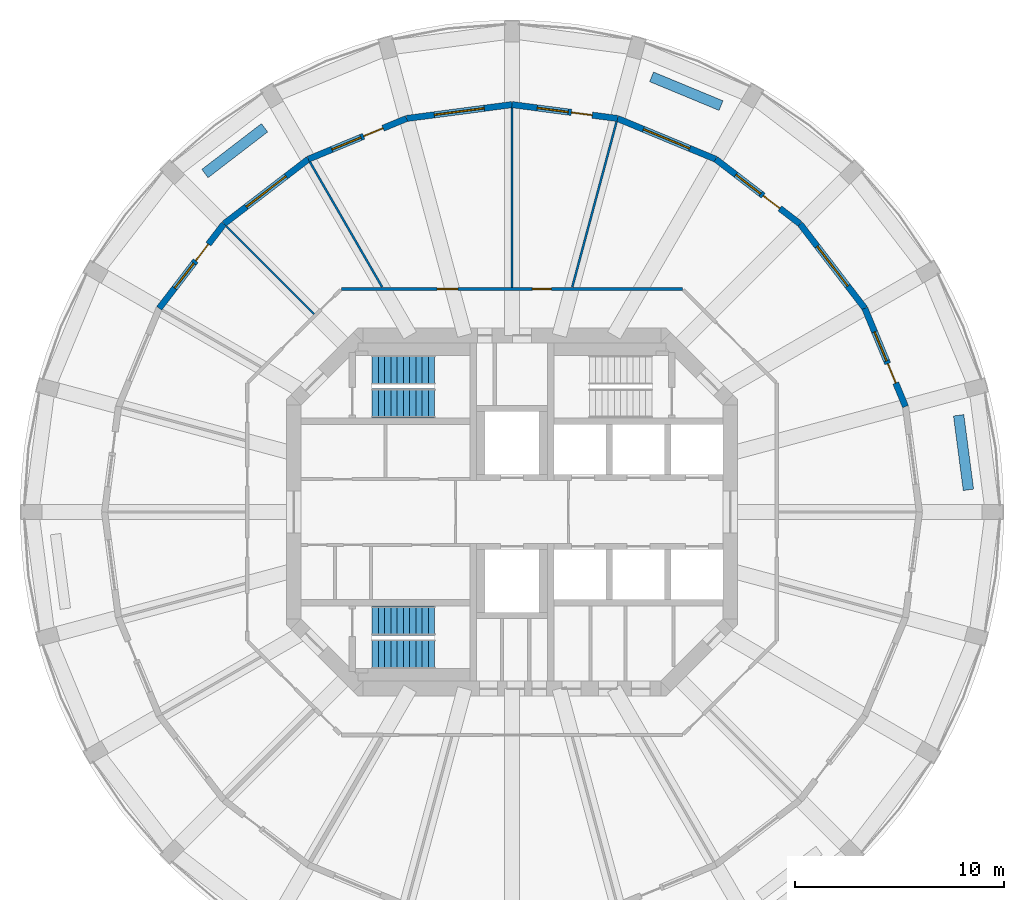
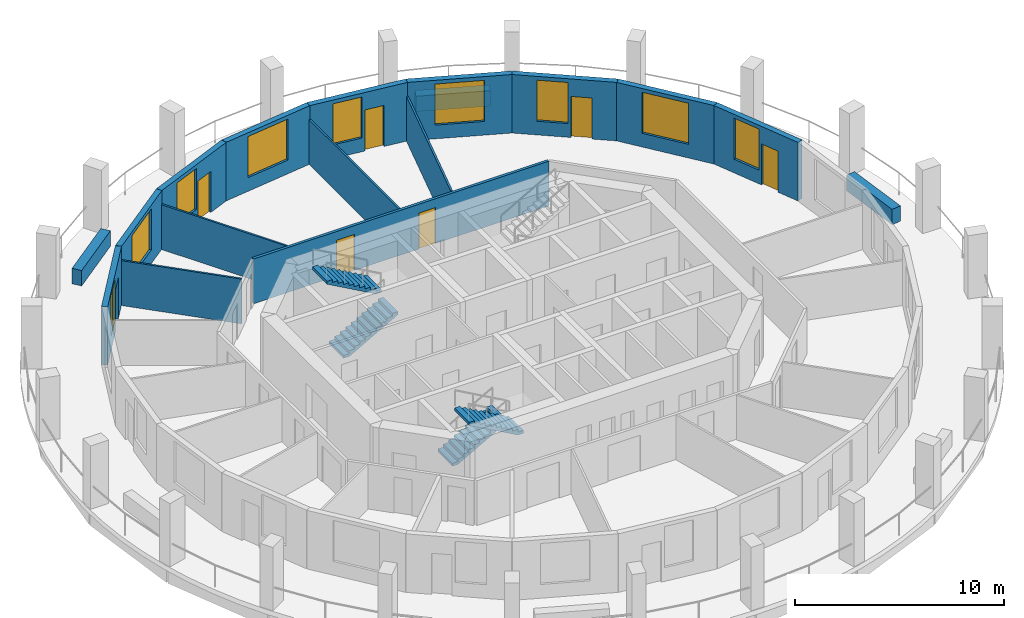
# One storey, part 6 of 9: 17 walls, 9 windows, 7 doors, 4 stair flights, 16 openings, 2 elements without a shape of their own.
"""IFC4 building model written with IfcOpenShell, lengths in metres."""

from ifc_helpers import new_model, si_unit, direction, frame, frame_2d, origin, place, context, subcontext, project, spatial, polyline, rectangle, outline, extrude, material, layer, layer_set, type_object, element, fill, aggregate, save


model = new_model("IFC4")

# Units and contexts
model_context = context("Model", 3, precision=1e-05, world=origin(), true_north=direction((0.0, 1.0)))
body_context = subcontext(model_context, "Body", "Model", "MODEL_VIEW")
ifc_project = project(units=[si_unit("LENGTHUNIT", "METRE"), si_unit("AREAUNIT", "SQUARE_METRE"), si_unit("VOLUMEUNIT", "CUBIC_METRE"), si_unit("PLANEANGLEUNIT", "RADIAN"), si_unit("MASSUNIT", "GRAM", prefix="KILO")], contexts=[model_context])

# Site, building, storey
site_placement = place(None, origin())
site = spatial("IfcSite", under=ifc_project, at=site_placement, CompositionType="ELEMENT")
building_placement = place(site_placement, origin())
building = spatial("IfcBuilding", under=site, at=building_placement, Name="Torre Triforio", CompositionType="ELEMENT")
storey_placement = place(building_placement, frame((0.0, 0.0, 211.300048828125)))
storey = spatial("IfcBuildingStorey", under=building, at=storey_placement, Name="L48", CompositionType="ELEMENT", Elevation=211.300048828125)

# Wall, openings, doors
ifc_material_1 = material(Name="Plasterboard on metal studs")
ifc_layer_1 = layer(ifc_material_1, 0.14990234375)
ifc_layer_set_1 = layer_set([ifc_layer_1], Name="Plasterboard on metal studs")
wall_type_1 = type_object("IfcWallType", Name="Corridor and tenancy wall 150 mm EI 60", PredefinedType="PARTITIONING", material=ifc_layer_set_1)
wall_1_placement = place(storey_placement, frame((-8.16650390625, 10.675048828125, 0.0), z_axis=(0.0, 0.0, 1.0), x_axis=(1.0, 0.0, 0.0)))
wall_1 = element("IfcWall", 1, at=wall_1_placement, inside=storey, type_object=wall_type_1, Name="Partition 8", PredefinedType="PARTITIONING", context=body_context, shape_type="SweptSolid", body=[
    extrude(rectangle(XDim=16.3330078125, YDim=0.14990234375, at=frame_2d((8.16650390625, 0.0))), origin(), (0.0, 0.0, 1.0), 2.619873046875),
])
opening_1_placement = place(wall_1_placement, frame((9.147705078125, 0.0, 0.0)))
opening_1 = element("IfcOpeningElement", 2, at=opening_1_placement, cuts=wall_1, Name="Opening O6-07", PredefinedType="OPENING", context=body_context, shape_type="SweptSolid", body=[
    extrude(rectangle(XDim=0.89990234375, YDim=2.10009765625, at=frame_2d((0.449951171875, 1.050048828125))), frame((0.0, 0.0849609375, 0.0), z_axis=(0.0, -1.0, 0.0), x_axis=(1.0, 0.0, 0.0)), (0.0, 0.0, 1.0), 0.169921875),
])
opening_2_placement = place(wall_1_placement, frame((4.5810546875, 0.0, 0.0)))
opening_2 = element("IfcOpeningElement", 3, at=opening_2_placement, cuts=wall_1, Name="Opening O6-08", PredefinedType="OPENING", context=body_context, shape_type="SweptSolid", body=[
    extrude(rectangle(XDim=1.0, YDim=2.10009765625, at=frame_2d((0.5, 1.050048828125))), frame((0.0, 0.0849609375, 0.0), z_axis=(0.0, -1.0, 0.0), x_axis=(1.0, 0.0, 0.0)), (0.0, 0.0, 1.0), 0.169921875),
])
ifc_material_2 = material(Name="Timber", Category="wood")
door_type_1 = type_object("IfcDoorType", Name="Door 1000 x 2100 single leaf EI 30", OperationType="NOTDEFINED", PredefinedType="DOOR", material=ifc_material_2)
door_1_placement = place(opening_2_placement, origin())
door_1 = element("IfcDoor", 4, at=door_1_placement, inside=storey, type_object=door_type_1, Name="Door O6-08", OperationType="SINGLE_SWING_RIGHT", OverallHeight=2.10009765625, OverallWidth=1.0, PredefinedType="DOOR", context=body_context, shape_type="SweptSolid", body=[
    extrude(rectangle(XDim=1.0, YDim=2.10009765625, at=frame_2d((0.5, 1.050048828125))), frame((0.0, 0.02490234375, 0.0), z_axis=(0.0, -1.0, 0.0), x_axis=(1.0, 0.0, 0.0)), (0.0, 0.0, 1.0), 0.050048828125),
])
fill(opening_2, door_1)
door_type_2 = type_object("IfcDoorType", Name="Door 900 x 2100 single leaf EI 30", OperationType="NOTDEFINED", PredefinedType="DOOR", material=ifc_material_2)
door_2_placement = place(opening_1_placement, origin())
door_2 = element("IfcDoor", 5, at=door_2_placement, inside=storey, type_object=door_type_2, Name="Door O6-07", OperationType="SINGLE_SWING_LEFT", OverallHeight=2.10009765625, OverallWidth=0.89990234375, PredefinedType="DOOR", context=body_context, shape_type="SweptSolid", body=[
    extrude(rectangle(XDim=0.89990234375, YDim=2.10009765625, at=frame_2d((0.449951171875, 1.050048828125))), frame((0.0, 0.02490234375, 0.0), z_axis=(0.0, -1.0, 0.0), x_axis=(1.0, 0.0, 0.0)), (0.0, 0.0, 1.0), 0.050048828125),
])
fill(opening_1, door_2)

# Walls
ifc_layer_2 = layer(ifc_material_1, 0.10009765625)
ifc_layer_set_2 = layer_set([ifc_layer_2], Name="Plasterboard on metal studs")
wall_type_2 = type_object("IfcWallType", Name="Partition 100 mm board on metal studs", PredefinedType="PARTITIONING", material=ifc_layer_set_2)
wall_2_placement = place(storey_placement, frame((2.88427734375, 10.764404296875, 0.0), z_axis=(0.0, 0.0, 1.0), x_axis=(0.258818011497, 0.965926103242, 0.0)))
element("IfcWall", 6, at=wall_2_placement, inside=storey, type_object=wall_type_2, Name="Partition 12", PredefinedType="PARTITIONING", context=body_context, shape_type="SweptSolid", body=[
    extrude(rectangle(XDim=8.1923828125, YDim=0.10009765625, at=frame_2d((4.09619140625, 0.0))), origin(), (0.0, 0.0, 1.0), 2.619873046875),
])
wall_3_placement = place(storey_placement, frame((0.0, 10.75, 0.0), z_axis=(0.0, 0.0, 1.0), x_axis=(0.0, 1.0, 0.0)))
element("IfcWall", 7, at=wall_3_placement, inside=storey, type_object=wall_type_2, Name="Partition 13", PredefinedType="PARTITIONING", context=body_context, shape_type="SweptSolid", body=[
    extrude(rectangle(XDim=8.586669921875, YDim=0.10009765625, at=frame_2d((4.29345703125, 0.0))), origin(), (0.0, 0.0, 1.0), 2.619873046875),
])
wall_4_placement = place(storey_placement, frame((-6.220703125, 10.774658203125, 0.0), z_axis=(0.0, 0.0, 1.0), x_axis=(-0.500015661236, 0.866016361577, 0.0)))
element("IfcWall", 8, at=wall_4_placement, inside=storey, type_object=wall_type_2, Name="Partition 14", PredefinedType="PARTITIONING", context=body_context, shape_type="SweptSolid", body=[
    extrude(rectangle(XDim=6.895263671875, YDim=0.10009765625, at=frame_2d((3.44775390625, 0.0))), origin(), (0.0, 0.0, 1.0), 2.619873046875),
])
wall_5_placement = place(storey_placement, frame((-9.473876953125, 9.473876953125, 0.0), z_axis=(0.0, 0.0, 1.0), x_axis=(-0.707106781187, 0.707106781187, 0.0)))
element("IfcWall", 9, at=wall_5_placement, inside=storey, type_object=wall_type_2, Name="Partition 15", PredefinedType="PARTITIONING", context=body_context, shape_type="SweptSolid", body=[
    extrude(rectangle(XDim=5.9384765625, YDim=0.10009765625, at=frame_2d((2.96923828125, 0.0))), origin(), (0.0, 0.0, 1.0), 2.619873046875),
])
ifc_material_3 = material(Name="Limestone cladding", Category="masonry")
ifc_layer_3 = layer(ifc_material_3, 0.10009765625)
ifc_material_4 = material(Name="Concrete C40", Category="concrete")
ifc_layer_4 = layer(ifc_material_4, 0.39990234375)
ifc_layer_set_3 = layer_set([ifc_layer_3, ifc_layer_4], Name="Limestone cladding / Concrete C40")
wall_type_3 = type_object("IfcWallType", Name="Planter wall 500", PredefinedType="PARAPET", material=ifc_layer_set_3)
for number, where, z_axis, x_axis, name in (
    (10, (21.848388671875, 1.060791015625, 0.0), (0.0, 0.0, 1.0), (-0.130475563272, 0.991451525486, 0.0), "Planter L48 bay 01"),
    (11, (10.005615234375, 19.45166015625, 0.0), (0.0, 0.0, 1.0), (-0.923885420167, 0.382669217998, 0.0), "Planter L48 bay 05"),
):
    element("IfcWall", number, at=place(storey_placement, frame(where, z_axis=z_axis, x_axis=x_axis)), inside=storey, type_object=wall_type_3, Name=name, PredefinedType="PARAPET", context=body_context, shape_type="SweptSolid", body=[
        extrude(rectangle(XDim=3.60009765625, YDim=0.5, at=frame_2d((1.800048828125, 0.0))), origin(), (0.0, 0.0, 1.0), 0.89990234375),
    ])
wall_6_placement = place(storey_placement, frame((-11.843017578125, 18.390869140625, 0.0), z_axis=(0.0, 0.0, 1.0), x_axis=(-0.793326845617, -0.608795955984, 0.0)))
element("IfcWall", 12, at=wall_6_placement, inside=storey, type_object=wall_type_3, Name="Planter L48 bay 09", PredefinedType="PARAPET", context=body_context, shape_type="SweptSolid", body=[
    extrude(rectangle(XDim=3.599853515625, YDim=0.5, at=frame_2d((1.7998046875, 0.0))), origin(), (0.0, 0.0, 1.0), 0.89990234375),
])

# Wall, openings, door, window
ifc_layer_5 = layer(ifc_material_3, 0.10009765625)
ifc_layer_6 = layer(ifc_material_4, 0.199951171875)
ifc_layer_set_4 = layer_set([ifc_layer_5, ifc_layer_6], Name="Limestone cladding / Concrete C40")
wall_type_4 = type_object("IfcWallType", Name="Stone-faced composite wall 300", PredefinedType="STANDARD", material=ifc_layer_set_4)
wall_7_placement = place(storey_placement, frame((18.835693359375, 5.047119140625, 0.0), z_axis=(0.0, 0.0, 1.0), x_axis=(-0.382724538613, 0.923862504675, 0.0)))
wall_7 = element("IfcWall", 13, at=wall_7_placement, inside=storey, type_object=wall_type_4, Name="External wall L48 bay 02", PredefinedType="STANDARD", context=body_context, shape_type="SweptSolid", body=[
    extrude(rectangle(XDim=5.090576171875, YDim=0.300048828125, at=frame_2d((2.54541015625, 0.0))), origin(), (0.0, 0.0, 1.0), 3.419921875),
])
opening_3_placement = place(wall_7_placement, frame((1.22021484375, 0.0, 0.0)))
opening_3 = element("IfcOpeningElement", 14, at=opening_3_placement, cuts=wall_7, Name="Opening O6-D02", PredefinedType="OPENING", context=body_context, shape_type="SweptSolid", body=[
    extrude(rectangle(XDim=1.0, YDim=2.39990234375, at=frame_2d((0.5, 1.199951171875))), frame((0.0, 0.159912109375, 0.0), z_axis=(0.0, -1.0, 0.0), x_axis=(1.0, 0.0, 0.0)), (0.0, 0.0, 1.0), 0.320068359375),
])
opening_4_placement = place(wall_7_placement, frame((2.370361328125, 0.0, 0.800048828125)))
opening_4 = element("IfcOpeningElement", 15, at=opening_4_placement, cuts=wall_7, Name="Opening O6-W02A", PredefinedType="OPENING", context=body_context, shape_type="SweptSolid", body=[
    extrude(rectangle(XDim=1.5, YDim=2.39990234375, at=frame_2d((0.75, 1.199951171875))), frame((0.0, 0.159912109375, 0.0), z_axis=(0.0, -1.0, 0.0), x_axis=(1.0, 0.0, 0.0)), (0.0, 0.0, 1.0), 0.320068359375),
])
ifc_material_5 = material(Name="Aluminium frame with clear double glazing", Category="aluminium")
door_type_3 = type_object("IfcDoorType", Name="Loggia door 1000 x 2400", OperationType="NOTDEFINED", PredefinedType="DOOR", material=ifc_material_5)
door_3_placement = place(opening_3_placement, origin())
door_3 = element("IfcDoor", 16, at=door_3_placement, inside=storey, type_object=door_type_3, Name="Loggia door L48 bay 02", OperationType="SINGLE_SWING_LEFT", OverallHeight=2.39990234375, OverallWidth=1.0, PredefinedType="DOOR", context=body_context, shape_type="SweptSolid", body=[
    extrude(rectangle(XDim=1.0, YDim=2.39990234375, at=frame_2d((0.5, 1.199951171875))), frame((0.0, 0.02490234375, 0.0), z_axis=(0.0, -1.0, 0.0), x_axis=(1.0, 0.0, 0.0)), (0.0, 0.0, 1.0), 0.050048828125),
])
fill(opening_3, door_3)
window_type_1 = type_object("IfcWindowType", Name="Side window 1500 x 2400", PartitioningType="SINGLE_PANEL", PredefinedType="WINDOW", material=ifc_material_5)
window_1_placement = place(opening_4_placement, origin())
window_1 = element("IfcWindow", 17, at=window_1_placement, inside=storey, type_object=window_type_1, Name="Side window EWN14 L48 bay 02", OverallHeight=2.39990234375, OverallWidth=1.5, PartitioningType="SINGLE_PANEL", PredefinedType="WINDOW", context=body_context, shape_type="SweptSolid", body=[
    extrude(rectangle(XDim=1.5, YDim=2.39990234375, at=frame_2d((0.75, 1.199951171875))), frame((0.0, 0.030029296875, 0.0), z_axis=(0.0, -1.0, 0.0), x_axis=(1.0, 0.0, 0.0)), (0.0, 0.0, 1.0), 0.06005859375),
])
fill(opening_4, window_1)

# Wall, opening, window
wall_8_placement = place(storey_placement, frame((16.887451171875, 9.75, 0.0), z_axis=(0.0, 0.0, 1.0), x_axis=(-0.608757714995, 0.79335619014, 0.0)))
wall_8 = element("IfcWall", 18, at=wall_8_placement, inside=storey, type_object=wall_type_4, Name="External wall L48 bay 03", PredefinedType="STANDARD", context=body_context, shape_type="SweptSolid", body=[
    extrude(rectangle(XDim=5.090576171875, YDim=0.300048828125, at=frame_2d((2.54541015625, 0.0))), origin(), (0.0, 0.0, 1.0), 3.419921875),
])
opening_5_placement = place(wall_8_placement, frame((1.34521484375, 0.0, 0.800048828125)))
opening_5 = element("IfcOpeningElement", 19, at=opening_5_placement, cuts=wall_8, Name="Opening O6-W03", PredefinedType="OPENING", context=body_context, shape_type="SweptSolid", body=[
    extrude(rectangle(XDim=2.39990234375, YDim=2.39990234375, at=frame_2d((1.199951171875, 1.199951171875))), frame((0.0, 0.159912109375, 0.0), z_axis=(0.0, -1.0, 0.0), x_axis=(1.0, 0.0, 0.0)), (0.0, 0.0, 1.0), 0.320068359375),
])
window_type_2 = type_object("IfcWindowType", Name="Punched window 2400 x 2400", PartitioningType="DOUBLE_PANEL_VERTICAL", PredefinedType="WINDOW", material=ifc_material_5)
window_2_placement = place(opening_5_placement, origin())
window_2 = element("IfcWindow", 20, at=window_2_placement, inside=storey, type_object=window_type_2, Name="Window EWN4 L48 bay 03", OverallHeight=2.39990234375, OverallWidth=2.39990234375, PartitioningType="SINGLE_PANEL", PredefinedType="WINDOW", context=body_context, shape_type="SweptSolid", body=[
    extrude(rectangle(XDim=2.39990234375, YDim=2.39990234375, at=frame_2d((1.199951171875, 1.199951171875))), frame((0.0, 0.030029296875, 0.0), z_axis=(0.0, -1.0, 0.0), x_axis=(1.0, 0.0, 0.0)), (0.0, 0.0, 1.0), 0.06005859375),
])
fill(opening_5, window_2)

# Wall, openings, door, window
wall_9_placement = place(storey_placement, frame((13.78857421875, 13.78857421875, 0.0), z_axis=(0.0, 0.0, 1.0), x_axis=(-0.79335619014, 0.608757714995, 0.0)))
wall_9 = element("IfcWall", 21, at=wall_9_placement, inside=storey, type_object=wall_type_4, Name="External wall L48 bay 04", PredefinedType="STANDARD", context=body_context, shape_type="SweptSolid", body=[
    extrude(rectangle(XDim=5.090576171875, YDim=0.300048828125, at=frame_2d((2.54541015625, 0.0))), origin(), (0.0, 0.0, 1.0), 3.419921875),
])
opening_6_placement = place(wall_9_placement, frame((1.22021484375, 0.0, 0.0)))
opening_6 = element("IfcOpeningElement", 22, at=opening_6_placement, cuts=wall_9, Name="Opening O6-D04", PredefinedType="OPENING", context=body_context, shape_type="SweptSolid", body=[
    extrude(rectangle(XDim=1.0, YDim=2.39990234375, at=frame_2d((0.5, 1.199951171875))), frame((0.0, 0.159912109375, 0.0), z_axis=(0.0, -1.0, 0.0), x_axis=(1.0, 0.0, 0.0)), (0.0, 0.0, 1.0), 0.320068359375),
])
opening_7_placement = place(wall_9_placement, frame((2.370361328125, 0.0, 0.800048828125)))
opening_7 = element("IfcOpeningElement", 23, at=opening_7_placement, cuts=wall_9, Name="Opening O6-W04A", PredefinedType="OPENING", context=body_context, shape_type="SweptSolid", body=[
    extrude(rectangle(XDim=1.5, YDim=2.39990234375, at=frame_2d((0.75, 1.199951171875))), frame((0.0, 0.159912109375, 0.0), z_axis=(0.0, -1.0, 0.0), x_axis=(1.0, 0.0, 0.0)), (0.0, 0.0, 1.0), 0.320068359375),
])
door_4_placement = place(opening_6_placement, origin())
door_4 = element("IfcDoor", 24, at=door_4_placement, inside=storey, type_object=door_type_3, Name="Loggia door L48 bay 04", OperationType="SINGLE_SWING_LEFT", OverallHeight=2.39990234375, OverallWidth=1.0, PredefinedType="DOOR", context=body_context, shape_type="SweptSolid", body=[
    extrude(rectangle(XDim=1.0, YDim=2.39990234375, at=frame_2d((0.5, 1.199951171875))), frame((0.0, 0.02490234375, 0.0), z_axis=(0.0, -1.0, 0.0), x_axis=(1.0, 0.0, 0.0)), (0.0, 0.0, 1.0), 0.050048828125),
])
fill(opening_6, door_4)
window_3_placement = place(opening_7_placement, origin())
window_3 = element("IfcWindow", 25, at=window_3_placement, inside=storey, type_object=window_type_1, Name="Side window EWN14 L48 bay 04", OverallHeight=2.39990234375, OverallWidth=1.5, PartitioningType="SINGLE_PANEL", PredefinedType="WINDOW", context=body_context, shape_type="SweptSolid", body=[
    extrude(rectangle(XDim=1.5, YDim=2.39990234375, at=frame_2d((0.75, 1.199951171875))), frame((0.0, 0.030029296875, 0.0), z_axis=(0.0, -1.0, 0.0), x_axis=(1.0, 0.0, 0.0)), (0.0, 0.0, 1.0), 0.06005859375),
])
fill(opening_7, window_3)

# Wall, opening, window
wall_10_placement = place(storey_placement, frame((9.75, 16.887451171875, 0.0), z_axis=(0.0, 0.0, 1.0), x_axis=(-0.923862504675, 0.382724538613, 0.0)))
wall_10 = element("IfcWall", 26, at=wall_10_placement, inside=storey, type_object=wall_type_4, Name="External wall L48 bay 05", PredefinedType="STANDARD", context=body_context, shape_type="SweptSolid", body=[
    extrude(rectangle(XDim=5.090576171875, YDim=0.300048828125, at=frame_2d((2.54541015625, 0.0))), origin(), (0.0, 0.0, 1.0), 3.419921875),
])
opening_8_placement = place(wall_10_placement, frame((1.34521484375, 0.0, 0.800048828125)))
opening_8 = element("IfcOpeningElement", 27, at=opening_8_placement, cuts=wall_10, Name="Opening O6-W05", PredefinedType="OPENING", context=body_context, shape_type="SweptSolid", body=[
    extrude(rectangle(XDim=2.39990234375, YDim=2.39990234375, at=frame_2d((1.199951171875, 1.199951171875))), frame((0.0, 0.159912109375, 0.0), z_axis=(0.0, -1.0, 0.0), x_axis=(1.0, 0.0, 0.0)), (0.0, 0.0, 1.0), 0.320068359375),
])
window_4_placement = place(opening_8_placement, origin())
window_4 = element("IfcWindow", 28, at=window_4_placement, inside=storey, type_object=window_type_2, Name="Window EWN4 L48 bay 05", OverallHeight=2.39990234375, OverallWidth=2.39990234375, PartitioningType="SINGLE_PANEL", PredefinedType="WINDOW", context=body_context, shape_type="SweptSolid", body=[
    extrude(rectangle(XDim=2.39990234375, YDim=2.39990234375, at=frame_2d((1.199951171875, 1.199951171875))), frame((0.0, 0.030029296875, 0.0), z_axis=(0.0, -1.0, 0.0), x_axis=(1.0, 0.0, 0.0)), (0.0, 0.0, 1.0), 0.06005859375),
])
fill(opening_8, window_4)

# Wall, openings, door, window
wall_11_placement = place(storey_placement, frame((5.047119140625, 18.835693359375, 0.0), z_axis=(0.0, 0.0, 1.0), x_axis=(-0.99144890792, 0.130495451964, 0.0)))
wall_11 = element("IfcWall", 29, at=wall_11_placement, inside=storey, type_object=wall_type_4, Name="External wall L48 bay 06", PredefinedType="STANDARD", context=body_context, shape_type="SweptSolid", body=[
    extrude(rectangle(XDim=5.090576171875, YDim=0.300048828125, at=frame_2d((2.54541015625, 0.0))), origin(), (0.0, 0.0, 1.0), 3.419921875),
])
opening_9_placement = place(wall_11_placement, frame((1.22021484375, 0.0, 0.0)))
opening_9 = element("IfcOpeningElement", 30, at=opening_9_placement, cuts=wall_11, Name="Opening O6-D06", PredefinedType="OPENING", context=body_context, shape_type="SweptSolid", body=[
    extrude(rectangle(XDim=1.0, YDim=2.39990234375, at=frame_2d((0.5, 1.199951171875))), frame((0.0, 0.159912109375, 0.0), z_axis=(0.0, -1.0, 0.0), x_axis=(1.0, 0.0, 0.0)), (0.0, 0.0, 1.0), 0.320068359375),
])
opening_10_placement = place(wall_11_placement, frame((2.370361328125, 0.0, 0.800048828125)))
opening_10 = element("IfcOpeningElement", 31, at=opening_10_placement, cuts=wall_11, Name="Opening O6-W06A", PredefinedType="OPENING", context=body_context, shape_type="SweptSolid", body=[
    extrude(rectangle(XDim=1.5, YDim=2.39990234375, at=frame_2d((0.75, 1.199951171875))), frame((0.0, 0.159912109375, 0.0), z_axis=(0.0, -1.0, 0.0), x_axis=(1.0, 0.0, 0.0)), (0.0, 0.0, 1.0), 0.320068359375),
])
door_5_placement = place(opening_9_placement, origin())
door_5 = element("IfcDoor", 32, at=door_5_placement, inside=storey, type_object=door_type_3, Name="Loggia door L48 bay 06", OperationType="SINGLE_SWING_LEFT", OverallHeight=2.39990234375, OverallWidth=1.0, PredefinedType="DOOR", context=body_context, shape_type="SweptSolid", body=[
    extrude(rectangle(XDim=1.0, YDim=2.39990234375, at=frame_2d((0.5, 1.199951171875))), frame((0.0, 0.02490234375, 0.0), z_axis=(0.0, -1.0, 0.0), x_axis=(1.0, 0.0, 0.0)), (0.0, 0.0, 1.0), 0.050048828125),
])
fill(opening_9, door_5)
window_5_placement = place(opening_10_placement, origin())
window_5 = element("IfcWindow", 33, at=window_5_placement, inside=storey, type_object=window_type_1, Name="Side window EWN14 L48 bay 06", OverallHeight=2.39990234375, OverallWidth=1.5, PartitioningType="SINGLE_PANEL", PredefinedType="WINDOW", context=body_context, shape_type="SweptSolid", body=[
    extrude(rectangle(XDim=1.5, YDim=2.39990234375, at=frame_2d((0.75, 1.199951171875))), frame((0.0, 0.030029296875, 0.0), z_axis=(0.0, -1.0, 0.0), x_axis=(1.0, 0.0, 0.0)), (0.0, 0.0, 1.0), 0.06005859375),
])
fill(opening_10, window_5)

# Wall, opening, window
wall_12_placement = place(storey_placement, frame((0.0, 19.5, 0.0), z_axis=(0.0, 0.0, 1.0), x_axis=(-0.99144890792, -0.130495451964, 0.0)))
wall_12 = element("IfcWall", 34, at=wall_12_placement, inside=storey, type_object=wall_type_4, Name="External wall L48 bay 07", PredefinedType="STANDARD", context=body_context, shape_type="SweptSolid", body=[
    extrude(rectangle(XDim=5.090576171875, YDim=0.300048828125, at=frame_2d((2.54541015625, 0.0))), origin(), (0.0, 0.0, 1.0), 3.419921875),
])
opening_11_placement = place(wall_12_placement, frame((1.34521484375, 0.0, 0.800048828125)))
opening_11 = element("IfcOpeningElement", 35, at=opening_11_placement, cuts=wall_12, Name="Opening O6-W07", PredefinedType="OPENING", context=body_context, shape_type="SweptSolid", body=[
    extrude(rectangle(XDim=2.39990234375, YDim=2.39990234375, at=frame_2d((1.199951171875, 1.199951171875))), frame((0.0, 0.159912109375, 0.0), z_axis=(0.0, -1.0, 0.0), x_axis=(1.0, 0.0, 0.0)), (0.0, 0.0, 1.0), 0.320068359375),
])
window_6_placement = place(opening_11_placement, origin())
window_6 = element("IfcWindow", 36, at=window_6_placement, inside=storey, type_object=window_type_2, Name="Window EWN4 L48 bay 07", OverallHeight=2.39990234375, OverallWidth=2.39990234375, PartitioningType="SINGLE_PANEL", PredefinedType="WINDOW", context=body_context, shape_type="SweptSolid", body=[
    extrude(rectangle(XDim=2.39990234375, YDim=2.39990234375, at=frame_2d((1.199951171875, 1.199951171875))), frame((0.0, 0.030029296875, 0.0), z_axis=(0.0, -1.0, 0.0), x_axis=(1.0, 0.0, 0.0)), (0.0, 0.0, 1.0), 0.06005859375),
])
fill(opening_11, window_6)

# Wall, openings, door, window
wall_13_placement = place(storey_placement, frame((-5.047119140625, 18.835693359375, 0.0), z_axis=(0.0, 0.0, 1.0), x_axis=(-0.923862504675, -0.382724538613, 0.0)))
wall_13 = element("IfcWall", 37, at=wall_13_placement, inside=storey, type_object=wall_type_4, Name="External wall L48 bay 08", PredefinedType="STANDARD", context=body_context, shape_type="SweptSolid", body=[
    extrude(rectangle(XDim=5.090576171875, YDim=0.300048828125, at=frame_2d((2.54541015625, 0.0))), origin(), (0.0, 0.0, 1.0), 3.419921875),
])
opening_12_placement = place(wall_13_placement, frame((1.22021484375, 0.0, 0.0)))
opening_12 = element("IfcOpeningElement", 38, at=opening_12_placement, cuts=wall_13, Name="Opening O6-D08", PredefinedType="OPENING", context=body_context, shape_type="SweptSolid", body=[
    extrude(rectangle(XDim=1.0, YDim=2.39990234375, at=frame_2d((0.5, 1.199951171875))), frame((0.0, 0.159912109375, 0.0), z_axis=(0.0, -1.0, 0.0), x_axis=(1.0, 0.0, 0.0)), (0.0, 0.0, 1.0), 0.320068359375),
])
opening_13_placement = place(wall_13_placement, frame((2.370361328125, 0.0, 0.800048828125)))
opening_13 = element("IfcOpeningElement", 39, at=opening_13_placement, cuts=wall_13, Name="Opening O6-W08A", PredefinedType="OPENING", context=body_context, shape_type="SweptSolid", body=[
    extrude(rectangle(XDim=1.5, YDim=2.39990234375, at=frame_2d((0.75, 1.199951171875))), frame((0.0, 0.159912109375, 0.0), z_axis=(0.0, -1.0, 0.0), x_axis=(1.0, 0.0, 0.0)), (0.0, 0.0, 1.0), 0.320068359375),
])
door_6_placement = place(opening_12_placement, origin())
door_6 = element("IfcDoor", 40, at=door_6_placement, inside=storey, type_object=door_type_3, Name="Loggia door L48 bay 08", OperationType="SINGLE_SWING_LEFT", OverallHeight=2.39990234375, OverallWidth=1.0, PredefinedType="DOOR", context=body_context, shape_type="SweptSolid", body=[
    extrude(rectangle(XDim=1.0, YDim=2.39990234375, at=frame_2d((0.5, 1.199951171875))), frame((0.0, 0.02490234375, 0.0), z_axis=(0.0, -1.0, 0.0), x_axis=(1.0, 0.0, 0.0)), (0.0, 0.0, 1.0), 0.050048828125),
])
fill(opening_12, door_6)
window_7_placement = place(opening_13_placement, origin())
window_7 = element("IfcWindow", 41, at=window_7_placement, inside=storey, type_object=window_type_1, Name="Side window EWN14 L48 bay 08", OverallHeight=2.39990234375, OverallWidth=1.5, PartitioningType="SINGLE_PANEL", PredefinedType="WINDOW", context=body_context, shape_type="SweptSolid", body=[
    extrude(rectangle(XDim=1.5, YDim=2.39990234375, at=frame_2d((0.75, 1.199951171875))), frame((0.0, 0.030029296875, 0.0), z_axis=(0.0, -1.0, 0.0), x_axis=(1.0, 0.0, 0.0)), (0.0, 0.0, 1.0), 0.06005859375),
])
fill(opening_13, window_7)

# Wall, opening, window
wall_14_placement = place(storey_placement, frame((-9.75, 16.887451171875, 0.0), z_axis=(0.0, 0.0, 1.0), x_axis=(-0.79335619014, -0.608757714995, 0.0)))
wall_14 = element("IfcWall", 42, at=wall_14_placement, inside=storey, type_object=wall_type_4, Name="External wall L48 bay 09", PredefinedType="STANDARD", context=body_context, shape_type="SweptSolid", body=[
    extrude(rectangle(XDim=5.090576171875, YDim=0.300048828125, at=frame_2d((2.54541015625, 0.0))), origin(), (0.0, 0.0, 1.0), 3.419921875),
])
opening_14_placement = place(wall_14_placement, frame((1.34521484375, 0.0, 0.800048828125)))
opening_14 = element("IfcOpeningElement", 43, at=opening_14_placement, cuts=wall_14, Name="Opening O6-W09", PredefinedType="OPENING", context=body_context, shape_type="SweptSolid", body=[
    extrude(rectangle(XDim=2.39990234375, YDim=2.39990234375, at=frame_2d((1.199951171875, 1.199951171875))), frame((0.0, 0.159912109375, 0.0), z_axis=(0.0, -1.0, 0.0), x_axis=(1.0, 0.0, 0.0)), (0.0, 0.0, 1.0), 0.320068359375),
])
window_8_placement = place(opening_14_placement, origin())
window_8 = element("IfcWindow", 44, at=window_8_placement, inside=storey, type_object=window_type_2, Name="Window EWN4 L48 bay 09", OverallHeight=2.39990234375, OverallWidth=2.39990234375, PartitioningType="SINGLE_PANEL", PredefinedType="WINDOW", context=body_context, shape_type="SweptSolid", body=[
    extrude(rectangle(XDim=2.39990234375, YDim=2.39990234375, at=frame_2d((1.199951171875, 1.199951171875))), frame((0.0, 0.030029296875, 0.0), z_axis=(0.0, -1.0, 0.0), x_axis=(1.0, 0.0, 0.0)), (0.0, 0.0, 1.0), 0.06005859375),
])
fill(opening_14, window_8)

# Wall, openings, door, window
wall_15_placement = place(storey_placement, frame((-13.78857421875, 13.78857421875, 0.0), z_axis=(0.0, 0.0, 1.0), x_axis=(-0.608757714995, -0.79335619014, 0.0)))
wall_15 = element("IfcWall", 45, at=wall_15_placement, inside=storey, type_object=wall_type_4, Name="External wall L48 bay 10", PredefinedType="STANDARD", context=body_context, shape_type="SweptSolid", body=[
    extrude(rectangle(XDim=5.090576171875, YDim=0.300048828125, at=frame_2d((2.54541015625, 0.0))), origin(), (0.0, 0.0, 1.0), 3.419921875),
])
opening_15_placement = place(wall_15_placement, frame((1.22021484375, 0.0, 0.0)))
opening_15 = element("IfcOpeningElement", 46, at=opening_15_placement, cuts=wall_15, Name="Opening O6-D10", PredefinedType="OPENING", context=body_context, shape_type="SweptSolid", body=[
    extrude(rectangle(XDim=1.0, YDim=2.39990234375, at=frame_2d((0.5, 1.199951171875))), frame((0.0, 0.159912109375, 0.0), z_axis=(0.0, -1.0, 0.0), x_axis=(1.0, 0.0, 0.0)), (0.0, 0.0, 1.0), 0.320068359375),
])
opening_16_placement = place(wall_15_placement, frame((2.370361328125, 0.0, 0.800048828125)))
opening_16 = element("IfcOpeningElement", 47, at=opening_16_placement, cuts=wall_15, Name="Opening O6-W10A", PredefinedType="OPENING", context=body_context, shape_type="SweptSolid", body=[
    extrude(rectangle(XDim=1.5, YDim=2.39990234375, at=frame_2d((0.75, 1.199951171875))), frame((0.0, 0.159912109375, 0.0), z_axis=(0.0, -1.0, 0.0), x_axis=(1.0, 0.0, 0.0)), (0.0, 0.0, 1.0), 0.320068359375),
])
door_7_placement = place(opening_15_placement, origin())
door_7 = element("IfcDoor", 48, at=door_7_placement, inside=storey, type_object=door_type_3, Name="Loggia door L48 bay 10", OperationType="SINGLE_SWING_LEFT", OverallHeight=2.39990234375, OverallWidth=1.0, PredefinedType="DOOR", context=body_context, shape_type="SweptSolid", body=[
    extrude(rectangle(XDim=1.0, YDim=2.39990234375, at=frame_2d((0.5, 1.199951171875))), frame((0.0, 0.02490234375, 0.0), z_axis=(0.0, -1.0, 0.0), x_axis=(1.0, 0.0, 0.0)), (0.0, 0.0, 1.0), 0.050048828125),
])
fill(opening_15, door_7)
window_9_placement = place(opening_16_placement, origin())
window_9 = element("IfcWindow", 49, at=window_9_placement, inside=storey, type_object=window_type_1, Name="Side window EWN14 L48 bay 10", OverallHeight=2.39990234375, OverallWidth=1.5, PartitioningType="SINGLE_PANEL", PredefinedType="WINDOW", context=body_context, shape_type="SweptSolid", body=[
    extrude(rectangle(XDim=1.5, YDim=2.39990234375, at=frame_2d((0.75, 1.199951171875))), frame((0.0, 0.030029296875, 0.0), z_axis=(0.0, -1.0, 0.0), x_axis=(1.0, 0.0, 0.0)), (0.0, 0.0, 1.0), 0.06005859375),
])
fill(opening_16, window_9)

# Stair, stair flights
stair_type = type_object("IfcStairType", Name="STAIR HALF-TURN", PredefinedType="HALF_TURN_STAIR", material=ifc_material_4)
stair_1_placement = place(storey_placement, origin())
stair_1 = element("IfcStair", 50, at=stair_1_placement, inside=storey, type_object=stair_type, Name="Exit stair 1", PredefinedType="HALF_TURN_STAIR")
stair_flight_type = type_object("IfcStairFlightType", Name="STAIR FLIGHT 1400", PredefinedType="STRAIGHT", material=ifc_material_4)
stair_flight_1_placement = place(storey_placement, frame((-6.699951171875, 5.199951171875, 0.0), z_axis=(0.0, 0.0, 1.0), x_axis=(1.0, 0.0, 0.0)))
stair_flight_1 = element("IfcStairFlight", 51, at=stair_flight_1_placement, type_object=stair_flight_type, Name="ST1 flight 1", NumberOfRisers=11, NumberOfTreads=10, PredefinedType="STRAIGHT", RiserHeight=0.168181818, TreadLength=0.3, context=body_context, shape_type="SweptSolid", body=[
    extrude(outline(polyline([(0.0, 0.0), (0.0, 0.168212890625), (0.300048828125, 0.168212890625), (0.300048828125, 0.33642578125), (0.60009765625, 0.33642578125), (0.60009765625, 0.504638671875), (0.89990234375, 0.504638671875), (0.89990234375, 0.672607421875), (1.199951171875, 0.672607421875), (1.199951171875, 0.8408203125), (1.5, 0.8408203125), (1.5, 1.009033203125), (1.800048828125, 1.009033203125), (1.800048828125, 1.17724609375), (2.10009765625, 1.17724609375), (2.10009765625, 1.345458984375), (2.39990234375, 1.345458984375), (2.39990234375, 1.513671875), (2.699951171875, 1.513671875), (2.699951171875, 1.681884765625), (3.0, 1.681884765625), (3.0, 1.85009765625), (3.0, 1.510009765625), (0.306640625, 0.0), (0.0, 0.0)])), frame((0.0, 0.699951171875, 0.0), z_axis=(0.0, -1.0, 0.0), x_axis=(1.0, 0.0, 0.0)), (0.0, 0.0, 1.0), 1.39990234375),
])
stair_flight_2_placement = place(storey_placement, frame((-3.699951171875, 6.800048828125, 1.849853515625), z_axis=(0.0, 0.0, 1.0), x_axis=(-1.0, 0.0, 0.0)))
stair_flight_2 = element("IfcStairFlight", 52, at=stair_flight_2_placement, type_object=stair_flight_type, Name="ST1 flight 2", NumberOfRisers=11, NumberOfTreads=10, PredefinedType="STRAIGHT", RiserHeight=0.168181818, TreadLength=0.3, context=body_context, shape_type="SweptSolid", body=[
    extrude(outline(polyline([(0.0, 0.0), (0.0, 0.168212890625), (0.300048828125, 0.168212890625), (0.300048828125, 0.33642578125), (0.60009765625, 0.33642578125), (0.60009765625, 0.504638671875), (0.89990234375, 0.504638671875), (0.89990234375, 0.672607421875), (1.199951171875, 0.672607421875), (1.199951171875, 0.8408203125), (1.5, 0.8408203125), (1.5, 1.009033203125), (1.800048828125, 1.009033203125), (1.800048828125, 1.17724609375), (2.10009765625, 1.17724609375), (2.10009765625, 1.345458984375), (2.39990234375, 1.345458984375), (2.39990234375, 1.513671875), (2.699951171875, 1.513671875), (2.699951171875, 1.681884765625), (3.0, 1.681884765625), (3.0, 1.85009765625), (3.0, 1.510009765625), (0.306640625, 0.0), (0.0, 0.0)])), frame((0.0, 0.699951171875, 0.0), z_axis=(0.0, -1.0, 0.0), x_axis=(1.0, 0.0, 0.0)), (0.0, 0.0, 1.0), 1.39990234375),
])
aggregate(stair_1, [stair_flight_1, stair_flight_2])

stair_2_placement = place(storey_placement, origin())
stair_2 = element("IfcStair", 53, at=stair_2_placement, inside=storey, type_object=stair_type, Name="Exit stair 3", PredefinedType="HALF_TURN_STAIR")
stair_flight_3_placement = place(storey_placement, frame((-6.699951171875, -5.199951171875, 0.0), z_axis=(0.0, 0.0, 1.0), x_axis=(1.0, 0.0, 0.0)))
stair_flight_3 = element("IfcStairFlight", 54, at=stair_flight_3_placement, type_object=stair_flight_type, Name="ST3 flight 1", NumberOfRisers=11, NumberOfTreads=10, PredefinedType="STRAIGHT", RiserHeight=0.168181818, TreadLength=0.3, context=body_context, shape_type="SweptSolid", body=[
    extrude(outline(polyline([(0.0, 0.0), (0.0, 0.168212890625), (0.300048828125, 0.168212890625), (0.300048828125, 0.33642578125), (0.60009765625, 0.33642578125), (0.60009765625, 0.504638671875), (0.89990234375, 0.504638671875), (0.89990234375, 0.672607421875), (1.199951171875, 0.672607421875), (1.199951171875, 0.8408203125), (1.5, 0.8408203125), (1.5, 1.009033203125), (1.800048828125, 1.009033203125), (1.800048828125, 1.17724609375), (2.10009765625, 1.17724609375), (2.10009765625, 1.345458984375), (2.39990234375, 1.345458984375), (2.39990234375, 1.513671875), (2.699951171875, 1.513671875), (2.699951171875, 1.681884765625), (3.0, 1.681884765625), (3.0, 1.85009765625), (3.0, 1.510009765625), (0.306640625, 0.0), (0.0, 0.0)])), frame((0.0, 0.699951171875, 0.0), z_axis=(0.0, -1.0, 0.0), x_axis=(1.0, 0.0, 0.0)), (0.0, 0.0, 1.0), 1.39990234375),
])
stair_flight_4_placement = place(storey_placement, frame((-3.699951171875, -6.800048828125, 1.849853515625), z_axis=(0.0, 0.0, 1.0), x_axis=(-1.0, 0.0, 0.0)))
stair_flight_4 = element("IfcStairFlight", 55, at=stair_flight_4_placement, type_object=stair_flight_type, Name="ST3 flight 2", NumberOfRisers=11, NumberOfTreads=10, PredefinedType="STRAIGHT", RiserHeight=0.168181818, TreadLength=0.3, context=body_context, shape_type="SweptSolid", body=[
    extrude(outline(polyline([(0.0, 0.0), (0.0, 0.168212890625), (0.300048828125, 0.168212890625), (0.300048828125, 0.33642578125), (0.60009765625, 0.33642578125), (0.60009765625, 0.504638671875), (0.89990234375, 0.504638671875), (0.89990234375, 0.672607421875), (1.199951171875, 0.672607421875), (1.199951171875, 0.8408203125), (1.5, 0.8408203125), (1.5, 1.009033203125), (1.800048828125, 1.009033203125), (1.800048828125, 1.17724609375), (2.10009765625, 1.17724609375), (2.10009765625, 1.345458984375), (2.39990234375, 1.345458984375), (2.39990234375, 1.513671875), (2.699951171875, 1.513671875), (2.699951171875, 1.681884765625), (3.0, 1.681884765625), (3.0, 1.85009765625), (3.0, 1.510009765625), (0.306640625, 0.0), (0.0, 0.0)])), frame((0.0, 0.699951171875, 0.0), z_axis=(0.0, -1.0, 0.0), x_axis=(1.0, 0.0, 0.0)), (0.0, 0.0, 1.0), 1.39990234375),
])
aggregate(stair_2, [stair_flight_3, stair_flight_4])

save(model, "model.ifc")
